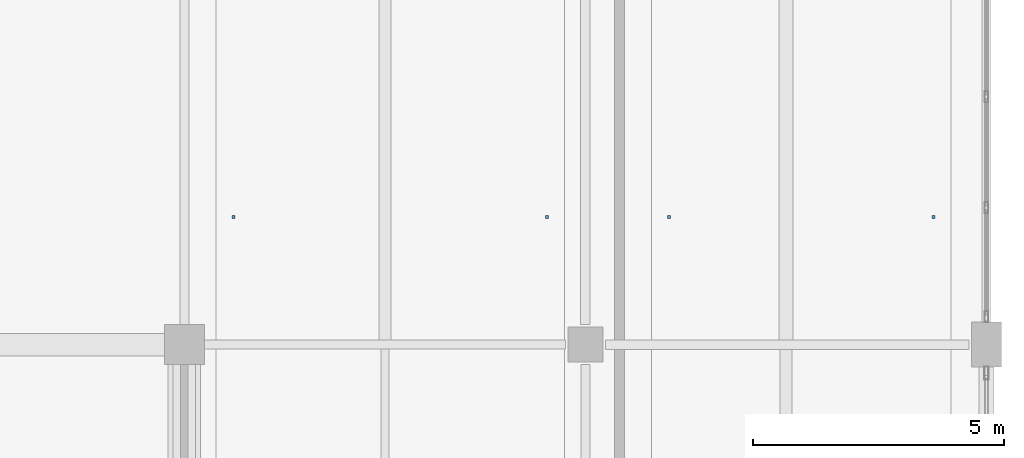
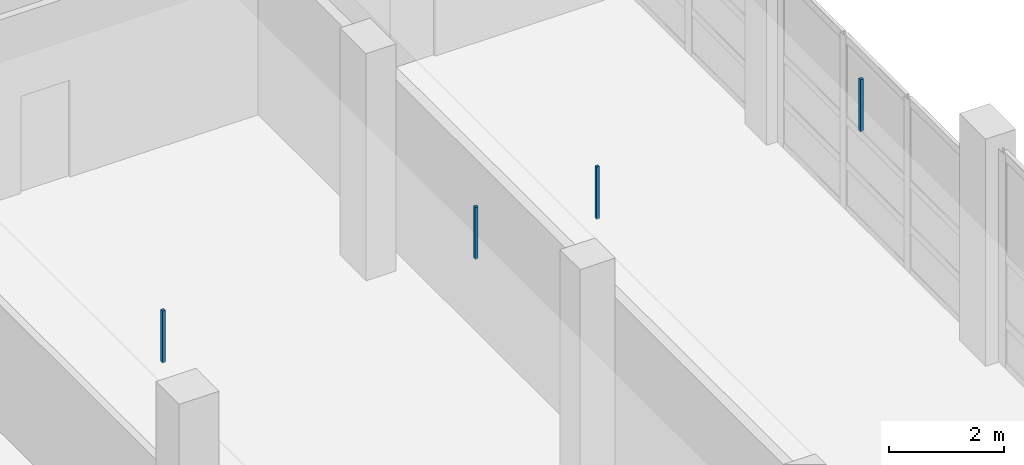
# One storey, part 118 of 147: 4 discrete accessories.
"""IFC4 building model written with IfcOpenShell, lengths in metres."""

from ifc_helpers import new_model, si_unit, direction, frame, origin, origin_2d, place, context, subcontext, project, spatial, rectangle, extrude, material, type_object, element, save


model = new_model("IFC4")

# Units and contexts
model_context = context("Model", 3, precision=1e-05, world=origin(), true_north=direction((0.0, 1.0)))
body_context = subcontext(model_context, "Body", "Model", "MODEL_VIEW")
ifc_project = project(units=[si_unit("LENGTHUNIT", "METRE"), si_unit("AREAUNIT", "SQUARE_METRE"), si_unit("VOLUMEUNIT", "CUBIC_METRE"), si_unit("PLANEANGLEUNIT", "RADIAN"), si_unit("MASSUNIT", "GRAM", prefix="KILO")], contexts=[model_context])

# Site, building, storey
site_placement = place(None, origin())
site = spatial("IfcSite", under=ifc_project, at=site_placement, CompositionType="ELEMENT")
building_placement = place(site_placement, origin())
building = spatial("IfcBuilding", under=site, at=building_placement, Name="Khelvaren Railside Concert Hall", CompositionType="ELEMENT")
storey_placement = place(building_placement, frame((0.0, 0.0, 5.39990234375)))
storey = spatial("IfcBuildingStorey", under=building, at=storey_placement, Name="L01", CompositionType="ELEMENT", Elevation=5.39990234375)

# Discrete accessories
ifc_material = material(Name="Galvanised steel acoustic ceiling hanger rod", Category="steel")
discrete_accessory_type = type_object("IfcDiscreteAccessoryType", Name="BRK62", PredefinedType="BRACKET", material=ifc_material)
for number, where, z_axis, x_axis, name in (
    (1, (168.97998046875, 93.75, 3.429931640625), (0.0, 0.0, 1.0), (1.0, 0.0, 0.0), "Acoustic Ceiling Suspension Bracket 140-1"),
    (2, (175.235107421875, 93.75, 3.429931640625), (0.0, 0.0, 1.0), (1.0, 0.0, 0.0), "Acoustic Ceiling Suspension Bracket 140-2"),
    (3, (177.6640625, 93.75, 3.429931640625), (0.0, 0.0, 1.0), (1.0, 0.0, 0.0), "Acoustic Ceiling Suspension Bracket 141-1"),
    (4, (182.93994140625, 93.75, 3.429931640625), (0.0, 0.0, 1.0), (1.0, 0.0, 0.0), "Acoustic Ceiling Suspension Bracket 141-2"),
):
    element("IfcDiscreteAccessory", number, at=place(storey_placement, frame(where, z_axis=z_axis, x_axis=x_axis)), inside=storey, type_object=discrete_accessory_type, Name=name, PredefinedType="BRACKET", context=body_context, shape_type="SweptSolid", body=[
        extrude(rectangle(XDim=0.06005859375, YDim=0.06005859375, at=origin_2d()), origin(), (0.0, 0.0, 1.0), 1.10009765625),
    ])

save(model, "model.ifc")
